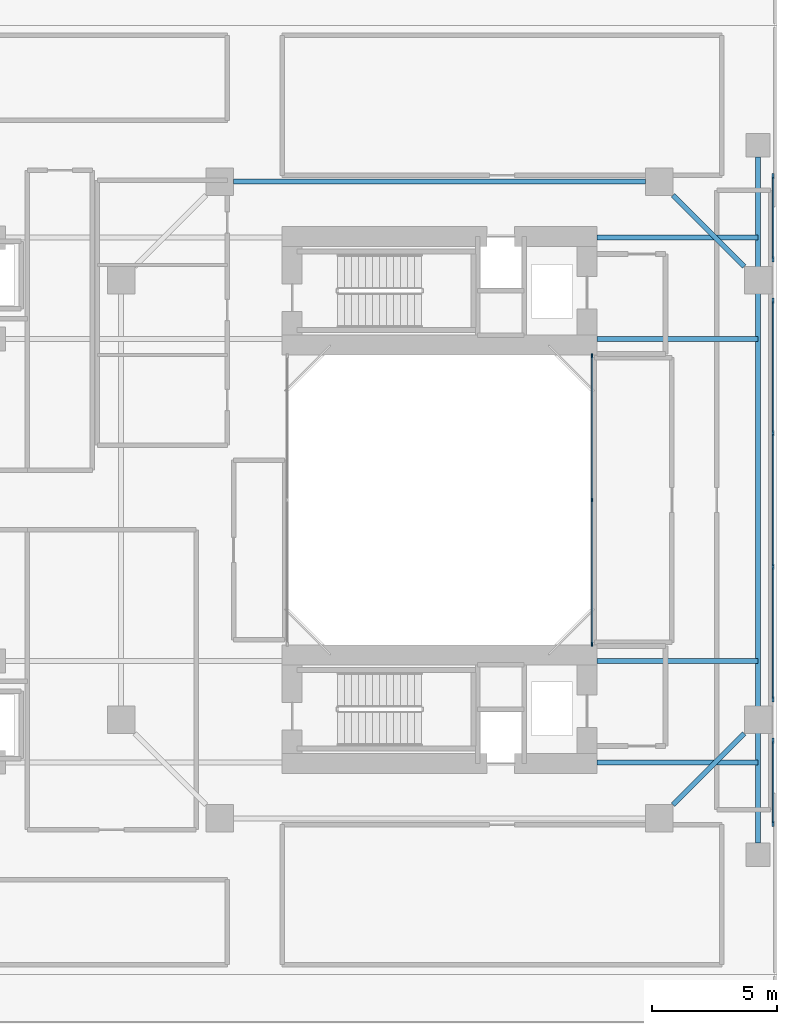
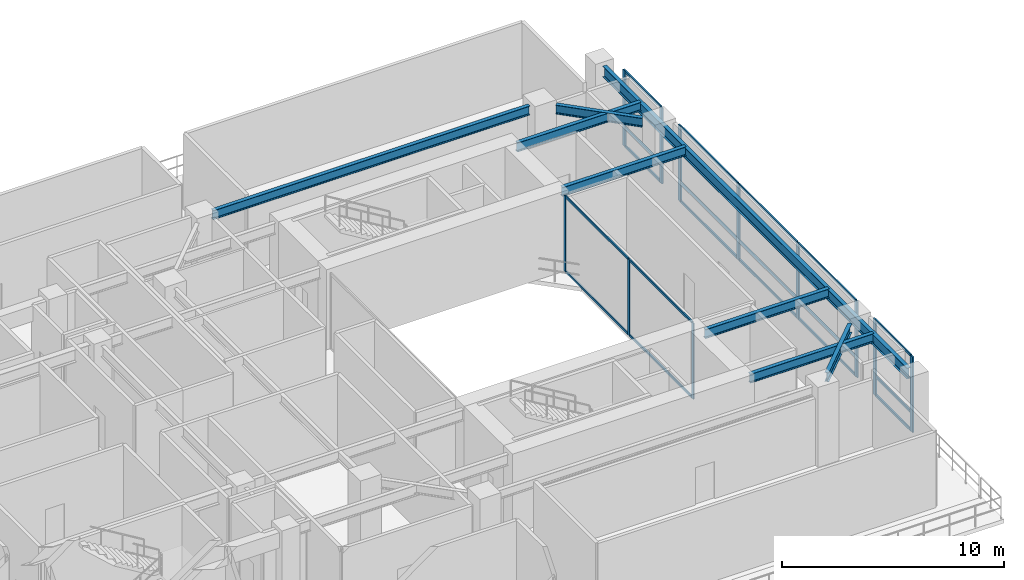
# One storey, part 8 of 19: 30 members, 8 beams, 4 elements without a shape of their own.
"""IFC4 building model written with IfcOpenShell, lengths in metres."""

from ifc_helpers import new_model, si_unit, direction, frame, origin, origin_2d, place, context, subcontext, project, spatial, rectangle, i_section, extrude, source, transform, mapped, material, layer, layer_set, material_profile, profile_set, type_object, element, aggregate, save


model = new_model("IFC4")

# Units and contexts
model_context = context("Model", 3, precision=1e-05, world=origin(), true_north=direction((0.0, 1.0)))
body_context = subcontext(model_context, "Body", "Model", "MODEL_VIEW")
ifc_project = project(units=[si_unit("LENGTHUNIT", "METRE"), si_unit("AREAUNIT", "SQUARE_METRE"), si_unit("VOLUMEUNIT", "CUBIC_METRE"), si_unit("PLANEANGLEUNIT", "RADIAN"), si_unit("MASSUNIT", "GRAM", prefix="KILO"), si_unit("THERMODYNAMICTEMPERATUREUNIT", "KELVIN"), si_unit("POWERUNIT", "WATT")], contexts=[model_context])

# Site, building, storey
site_placement = place(None, origin())
site = spatial("IfcSite", under=ifc_project, at=site_placement, CompositionType="ELEMENT")
building_placement = place(site_placement, origin())
building = spatial("IfcBuilding", under=site, at=building_placement, Name="Qiaomeng Ring Towers", CompositionType="ELEMENT")
storey_placement = place(building_placement, frame((0.0, 0.0, 9.39990234375)))
storey = spatial("IfcBuildingStorey", under=building, at=storey_placement, Name="L02", CompositionType="ELEMENT", Elevation=9.39990234375)

# Beams
ifc_material_1 = material(Name="Steel Q355B", Category="steel")
ifc_material_profile_1 = material_profile(ifc_material_1, i_section(OverallWidth=0.199951171875, OverallDepth=0.60009765625, WebThickness=0.010986328125, FlangeThickness=0.01708984375, FilletRadius=0.02197265625, at=origin_2d()), Name="HN 600x200x11x17")
ifc_profile_set_1 = profile_set([ifc_material_profile_1], Name="Steel Q355B")
beam_type_1 = type_object("IfcBeamType", Name="STR-BM-HN600", PredefinedType="BEAM", material=ifc_profile_set_1)
shared_shape_1 = source(origin(), body_context, "Body", "SweptSolid", [
    extrude(i_section(OverallWidth=0.199951171875, OverallDepth=0.60009765625, WebThickness=0.010986328125, FlangeThickness=0.01708984375, FilletRadius=0.02197265625, at=origin_2d()), origin(), (0.0, 0.0, 1.0), 27.4521484375),
])
beam_1_placement = place(storey_placement, frame((73.25, 9.27392578125, 3.880126953125), z_axis=(0.0, 1.0, 0.0), x_axis=(-1.0, 0.0, 0.0)))
element("IfcBeam", 1, at=beam_1_placement, inside=storey, type_object=beam_type_1, Name="L02 beam STR-SP-L02-EL", PredefinedType="BEAM", context=body_context, shape_type="MappedRepresentation", body=[
    mapped(shared_shape_1, transform((0.0, 0.0, 0.0), x_axis=(1.0, 0.0, 0.0), y_axis=(0.0, 1.0, 0.0), z_axis=(0.0, 0.0, 1.0), scale=1.0)),
])
ifc_material_profile_2 = material_profile(ifc_material_1, i_section(OverallWidth=0.199951171875, OverallDepth=0.5, WebThickness=0.010009765625, FlangeThickness=0.01611328125, FilletRadius=0.02001953125, at=origin_2d()), Name="HN 500x200x10x16")
ifc_profile_set_2 = profile_set([ifc_material_profile_2], Name="Steel Q355B")
beam_type_2 = type_object("IfcBeamType", Name="STR-BM-HN500", PredefinedType="BEAM", material=ifc_profile_set_2)
shared_shape_2 = source(origin(), body_context, "Body", "SweptSolid", [
    extrude(i_section(OverallWidth=0.199951171875, OverallDepth=0.5, WebThickness=0.010009765625, FlangeThickness=0.01611328125, FilletRadius=0.02001953125, at=origin_2d()), origin(), (0.0, 0.0, 1.0), 4.032470703125),
])
for number, where, z_axis, x_axis, name in (
    (2, (69.849365234375, 10.79931640625, 3.93017578125), (0.707106781187, 0.707106781187, 0.0), (-0.707106781187, 0.707106781187, 0.0), "L02 beam STR-SP-L02-T2-2"),
    (3, (72.70068359375, 32.349365234375, 3.93017578125), (-0.707106781187, 0.707106781187, 0.0), (-0.707106781187, -0.707106781187, 0.0), "L02 beam STR-SP-L02-T2-4"),
):
    element("IfcBeam", number, at=place(storey_placement, frame(where, z_axis=z_axis, x_axis=x_axis)), inside=storey, type_object=beam_type_2, Name=name, PredefinedType="BEAM", context=body_context, shape_type="MappedRepresentation", body=[
        mapped(shared_shape_2, transform((0.0, 0.0, 0.0), x_axis=(1.0, 0.0, 0.0), y_axis=(0.0, 1.0, 0.0), z_axis=(0.0, 0.0, 1.0), scale=1.0)),
    ])
shared_shape_3 = source(origin(), body_context, "Body", "SweptSolid", [
    extrude(i_section(OverallWidth=0.199951171875, OverallDepth=0.5, WebThickness=0.010009765625, FlangeThickness=0.01611328125, FilletRadius=0.02001953125, at=origin_2d()), origin(), (0.0, 0.0, 1.0), 16.501953125),
])
beam_2_placement = place(storey_placement, frame((68.7509765625, 35.75, 3.93017578125), z_axis=(-1.0, 0.0, 0.0), x_axis=(0.0, -1.0, 0.0)))
element("IfcBeam", 4, at=beam_2_placement, inside=storey, type_object=beam_type_2, Name="L02 beam STR-SP-L02-T2-5", PredefinedType="BEAM", context=body_context, shape_type="MappedRepresentation", body=[
    mapped(shared_shape_3, transform((0.0, 0.0, 0.0), x_axis=(1.0, 0.0, 0.0), y_axis=(0.0, 1.0, 0.0), z_axis=(0.0, 0.0, 1.0), scale=1.0)),
])
shared_shape_4 = source(origin(), body_context, "Body", "SweptSolid", [
    extrude(i_section(OverallWidth=0.199951171875, OverallDepth=0.5, WebThickness=0.010009765625, FlangeThickness=0.01611328125, FilletRadius=0.02001953125, at=origin_2d()), origin(), (0.0, 0.0, 1.0), 6.449951171875),
])
for number, where, z_axis, x_axis, name in (
    (5, (66.800048828125, 12.5, 3.93017578125), (1.0, 0.0, 0.0), (0.0, 1.0, 0.0), "L02 beam STR-BM-L02-E-0"),
    (6, (66.800048828125, 16.550048828125, 3.93017578125), (1.0, 0.0, 0.0), (0.0, 1.0, 0.0), "L02 beam STR-BM-L02-E-1"),
    (7, (66.800048828125, 29.449951171875, 3.93017578125), (1.0, 0.0, 0.0), (0.0, 1.0, 0.0), "L02 beam STR-BM-L02-E-2"),
    (8, (66.800048828125, 33.5, 3.93017578125), (1.0, 0.0, 0.0), (0.0, 1.0, 0.0), "L02 beam STR-BM-L02-E-3"),
):
    element("IfcBeam", number, at=place(storey_placement, frame(where, z_axis=z_axis, x_axis=x_axis)), inside=storey, type_object=beam_type_2, Name=name, PredefinedType="BEAM", context=body_context, shape_type="MappedRepresentation", body=[
        mapped(shared_shape_4, transform((0.0, 0.0, 0.0), x_axis=(1.0, 0.0, 0.0), y_axis=(0.0, 1.0, 0.0), z_axis=(0.0, 0.0, 1.0), scale=1.0)),
    ])

# Curtain wall, members
ifc_material_2 = material(Name="Fluorocarbon dark-grey aluminium", Category="aluminium")
ifc_layer_1 = layer(ifc_material_2, 0.179931640625, Name="Fluorocarbon dark-grey aluminium")
ifc_layer_set_1 = layer_set([ifc_layer_1], Name="Fluorocarbon dark-grey aluminium")
curtain_wall_type_1 = type_object("IfcCurtainWallType", Name="ARC-CW-1", PredefinedType="NOTDEFINED", material=ifc_layer_set_1)
curtain_wall_1_placement = place(storey_placement, origin())
curtain_wall_1 = element("IfcCurtainWall", 9, at=curtain_wall_1_placement, inside=storey, type_object=curtain_wall_type_1, Name="L02 Curtain Wall CW1", PredefinedType="NOTDEFINED")
ifc_material_profile_3 = material_profile(ifc_material_2, rectangle(XDim=0.070068359375, YDim=0.139892578125, at=origin_2d()), Name="ALU TRAN 70x140")
ifc_profile_set_3 = profile_set([ifc_material_profile_3], Name="Fluorocarbon dark-grey aluminium")
member_type_1 = type_object("IfcMemberType", Name="ARC-CWT-140", PredefinedType="USERDEFINED", material=ifc_profile_set_3)
shared_shape_5 = source(origin(), body_context, "Body", "SweptSolid", [
    extrude(rectangle(XDim=0.070068359375, YDim=0.139892578125, at=origin_2d()), origin(), (0.0, 0.0, 1.0), 5.219970703125),
])
member_1_placement = place(storey_placement, frame((73.85009765625, 15.070068359375, 0.03515625), z_axis=(0.0, 1.0, 0.0), x_axis=(-1.0, 0.0, 0.0)))
member_1 = element("IfcMember", 10, at=member_1_placement, type_object=member_type_1, Name="CW1 transom 1.1", ObjectType="TRANSOM", PredefinedType="USERDEFINED", context=body_context, shape_type="MappedRepresentation", body=[
    mapped(shared_shape_5, transform((0.0, 0.0, 0.0), x_axis=(1.0, 0.0, 0.0), y_axis=(0.0, 1.0, 0.0), z_axis=(0.0, 0.0, 1.0), scale=1.0)),
])
member_2_placement = place(storey_placement, frame((73.85009765625, 15.070068359375, 1.050048828125), z_axis=(0.0, 1.0, 0.0), x_axis=(-1.0, 0.0, 0.0)))
member_2 = element("IfcMember", 11, at=member_2_placement, type_object=member_type_1, Name="CW1 transom 1.2", ObjectType="TRANSOM", PredefinedType="USERDEFINED", context=body_context, shape_type="MappedRepresentation", body=[
    mapped(shared_shape_5, transform((0.0, 0.0, 0.0), x_axis=(1.0, 0.0, 0.0), y_axis=(0.0, 1.0, 0.0), z_axis=(0.0, 0.0, 1.0), scale=1.0)),
])
member_3_placement = place(storey_placement, frame((73.85009765625, 15.070068359375, 4.14501953125), z_axis=(0.0, 1.0, 0.0), x_axis=(-1.0, 0.0, 0.0)))
member_3 = element("IfcMember", 12, at=member_3_placement, type_object=member_type_1, Name="CW1 transom 1.3", ObjectType="TRANSOM", PredefinedType="USERDEFINED", context=body_context, shape_type="MappedRepresentation", body=[
    mapped(shared_shape_5, transform((0.0, 0.0, 0.0), x_axis=(1.0, 0.0, 0.0), y_axis=(0.0, 1.0, 0.0), z_axis=(0.0, 0.0, 1.0), scale=1.0)),
])
member_4_placement = place(storey_placement, frame((73.85009765625, 25.7099609375, 0.03515625), z_axis=(0.0, 1.0, 0.0), x_axis=(-1.0, 0.0, 0.0)))
member_4 = element("IfcMember", 13, at=member_4_placement, type_object=member_type_1, Name="CW1 transom 3.1", ObjectType="TRANSOM", PredefinedType="USERDEFINED", context=body_context, shape_type="MappedRepresentation", body=[
    mapped(shared_shape_5, transform((0.0, 0.0, 0.0), x_axis=(1.0, 0.0, 0.0), y_axis=(0.0, 1.0, 0.0), z_axis=(0.0, 0.0, 1.0), scale=1.0)),
])
member_5_placement = place(storey_placement, frame((73.85009765625, 25.7099609375, 1.050048828125), z_axis=(0.0, 1.0, 0.0), x_axis=(-1.0, 0.0, 0.0)))
member_5 = element("IfcMember", 14, at=member_5_placement, type_object=member_type_1, Name="CW1 transom 3.2", ObjectType="TRANSOM", PredefinedType="USERDEFINED", context=body_context, shape_type="MappedRepresentation", body=[
    mapped(shared_shape_5, transform((0.0, 0.0, 0.0), x_axis=(1.0, 0.0, 0.0), y_axis=(0.0, 1.0, 0.0), z_axis=(0.0, 0.0, 1.0), scale=1.0)),
])
member_6_placement = place(storey_placement, frame((73.85009765625, 25.7099609375, 4.14501953125), z_axis=(0.0, 1.0, 0.0), x_axis=(-1.0, 0.0, 0.0)))
member_6 = element("IfcMember", 15, at=member_6_placement, type_object=member_type_1, Name="CW1 transom 3.3", ObjectType="TRANSOM", PredefinedType="USERDEFINED", context=body_context, shape_type="MappedRepresentation", body=[
    mapped(shared_shape_5, transform((0.0, 0.0, 0.0), x_axis=(1.0, 0.0, 0.0), y_axis=(0.0, 1.0, 0.0), z_axis=(0.0, 0.0, 1.0), scale=1.0)),
])
shared_shape_6 = source(origin(), body_context, "Body", "SweptSolid", [
    extrude(rectangle(XDim=0.070068359375, YDim=0.139892578125, at=origin_2d()), origin(), (0.0, 0.0, 1.0), 5.259765625),
])
member_7_placement = place(storey_placement, frame((73.85009765625, 20.3701171875, 0.03515625), z_axis=(0.0, 1.0, 0.0), x_axis=(-1.0, 0.0, 0.0)))
member_7 = element("IfcMember", 16, at=member_7_placement, type_object=member_type_1, Name="CW1 transom 2.1", ObjectType="TRANSOM", PredefinedType="USERDEFINED", context=body_context, shape_type="MappedRepresentation", body=[
    mapped(shared_shape_6, transform((0.0, 0.0, 0.0), x_axis=(1.0, 0.0, 0.0), y_axis=(0.0, 1.0, 0.0), z_axis=(0.0, 0.0, 1.0), scale=1.0)),
])
member_8_placement = place(storey_placement, frame((73.85009765625, 20.3701171875, 1.050048828125), z_axis=(0.0, 1.0, 0.0), x_axis=(-1.0, 0.0, 0.0)))
member_8 = element("IfcMember", 17, at=member_8_placement, type_object=member_type_1, Name="CW1 transom 2.2", ObjectType="TRANSOM", PredefinedType="USERDEFINED", context=body_context, shape_type="MappedRepresentation", body=[
    mapped(shared_shape_6, transform((0.0, 0.0, 0.0), x_axis=(1.0, 0.0, 0.0), y_axis=(0.0, 1.0, 0.0), z_axis=(0.0, 0.0, 1.0), scale=1.0)),
])
member_9_placement = place(storey_placement, frame((73.85009765625, 20.3701171875, 4.14501953125), z_axis=(0.0, 1.0, 0.0), x_axis=(-1.0, 0.0, 0.0)))
member_9 = element("IfcMember", 18, at=member_9_placement, type_object=member_type_1, Name="CW1 transom 2.3", ObjectType="TRANSOM", PredefinedType="USERDEFINED", context=body_context, shape_type="MappedRepresentation", body=[
    mapped(shared_shape_6, transform((0.0, 0.0, 0.0), x_axis=(1.0, 0.0, 0.0), y_axis=(0.0, 1.0, 0.0), z_axis=(0.0, 0.0, 1.0), scale=1.0)),
])

curtain_wall_2_placement = place(storey_placement, origin())
curtain_wall_2 = element("IfcCurtainWall", 19, at=curtain_wall_2_placement, inside=storey, type_object=curtain_wall_type_1, Name="L02 Curtain Wall CW1", PredefinedType="NOTDEFINED")
shared_shape_7 = source(origin(), body_context, "Body", "SweptSolid", [
    extrude(rectangle(XDim=0.070068359375, YDim=0.139892578125, at=origin_2d()), origin(), (0.0, 0.0, 1.0), 3.25),
])
member_10_placement = place(storey_placement, frame((73.85009765625, 10.080078125, 0.03515625), z_axis=(0.0, 1.0, 0.0), x_axis=(-1.0, 0.0, 0.0)))
member_10 = element("IfcMember", 20, at=member_10_placement, type_object=member_type_1, Name="CW1 transom 1.1", ObjectType="TRANSOM", PredefinedType="USERDEFINED", context=body_context, shape_type="MappedRepresentation", body=[
    mapped(shared_shape_7, transform((0.0, 0.0, 0.0), x_axis=(1.0, 0.0, 0.0), y_axis=(0.0, 1.0, 0.0), z_axis=(0.0, 0.0, 1.0), scale=1.0)),
])
member_11_placement = place(storey_placement, frame((73.85009765625, 10.080078125, 1.050048828125), z_axis=(0.0, 1.0, 0.0), x_axis=(-1.0, 0.0, 0.0)))
member_11 = element("IfcMember", 21, at=member_11_placement, type_object=member_type_1, Name="CW1 transom 1.2", ObjectType="TRANSOM", PredefinedType="USERDEFINED", context=body_context, shape_type="MappedRepresentation", body=[
    mapped(shared_shape_7, transform((0.0, 0.0, 0.0), x_axis=(1.0, 0.0, 0.0), y_axis=(0.0, 1.0, 0.0), z_axis=(0.0, 0.0, 1.0), scale=1.0)),
])
member_12_placement = place(storey_placement, frame((73.85009765625, 10.080078125, 4.14501953125), z_axis=(0.0, 1.0, 0.0), x_axis=(-1.0, 0.0, 0.0)))
member_12 = element("IfcMember", 22, at=member_12_placement, type_object=member_type_1, Name="CW1 transom 1.3", ObjectType="TRANSOM", PredefinedType="USERDEFINED", context=body_context, shape_type="MappedRepresentation", body=[
    mapped(shared_shape_7, transform((0.0, 0.0, 0.0), x_axis=(1.0, 0.0, 0.0), y_axis=(0.0, 1.0, 0.0), z_axis=(0.0, 0.0, 1.0), scale=1.0)),
])

curtain_wall_3_placement = place(storey_placement, origin())
curtain_wall_3 = element("IfcCurtainWall", 23, at=curtain_wall_3_placement, inside=storey, type_object=curtain_wall_type_1, Name="L02 Curtain Wall CW1", PredefinedType="NOTDEFINED")
member_13_placement = place(storey_placement, frame((73.85009765625, 32.669921875, 0.03515625), z_axis=(0.0, 1.0, 0.0), x_axis=(-1.0, 0.0, 0.0)))
member_13 = element("IfcMember", 24, at=member_13_placement, type_object=member_type_1, Name="CW1 transom 1.1", ObjectType="TRANSOM", PredefinedType="USERDEFINED", context=body_context, shape_type="MappedRepresentation", body=[
    mapped(shared_shape_7, transform((0.0, 0.0, 0.0), x_axis=(1.0, 0.0, 0.0), y_axis=(0.0, 1.0, 0.0), z_axis=(0.0, 0.0, 1.0), scale=1.0)),
])
member_14_placement = place(storey_placement, frame((73.85009765625, 32.669921875, 1.050048828125), z_axis=(0.0, 1.0, 0.0), x_axis=(-1.0, 0.0, 0.0)))
member_14 = element("IfcMember", 25, at=member_14_placement, type_object=member_type_1, Name="CW1 transom 1.2", ObjectType="TRANSOM", PredefinedType="USERDEFINED", context=body_context, shape_type="MappedRepresentation", body=[
    mapped(shared_shape_7, transform((0.0, 0.0, 0.0), x_axis=(1.0, 0.0, 0.0), y_axis=(0.0, 1.0, 0.0), z_axis=(0.0, 0.0, 1.0), scale=1.0)),
])
member_15_placement = place(storey_placement, frame((73.85009765625, 32.669921875, 4.14501953125), z_axis=(0.0, 1.0, 0.0), x_axis=(-1.0, 0.0, 0.0)))
member_15 = element("IfcMember", 26, at=member_15_placement, type_object=member_type_1, Name="CW1 transom 1.3", ObjectType="TRANSOM", PredefinedType="USERDEFINED", context=body_context, shape_type="MappedRepresentation", body=[
    mapped(shared_shape_7, transform((0.0, 0.0, 0.0), x_axis=(1.0, 0.0, 0.0), y_axis=(0.0, 1.0, 0.0), z_axis=(0.0, 0.0, 1.0), scale=1.0)),
])

ifc_layer_2 = layer(ifc_material_2, 0.139892578125, Name="Fluorocarbon dark-grey aluminium")
ifc_layer_set_2 = layer_set([ifc_layer_2], Name="Fluorocarbon dark-grey aluminium")
curtain_wall_type_2 = type_object("IfcCurtainWallType", Name="ARC-CW-4", PredefinedType="NOTDEFINED", material=ifc_layer_set_2)
curtain_wall_4_placement = place(storey_placement, origin())
curtain_wall_4 = element("IfcCurtainWall", 27, at=curtain_wall_4_placement, inside=storey, type_object=curtain_wall_type_2, Name="L02 Curtain Wall CW4", PredefinedType="NOTDEFINED")
ifc_material_profile_4 = material_profile(ifc_material_2, rectangle(XDim=0.06494140625, YDim=0.1298828125, at=origin_2d()), Name="ALU TRAN 65x130")
ifc_profile_set_4 = profile_set([ifc_material_profile_4], Name="Fluorocarbon dark-grey aluminium")
member_type_2 = type_object("IfcMemberType", Name="ARC-CWT-120", PredefinedType="USERDEFINED", material=ifc_profile_set_4)
shared_shape_8 = source(origin(), body_context, "Body", "SweptSolid", [
    extrude(rectangle(XDim=0.06494140625, YDim=0.1298828125, at=origin_2d()), origin(), (0.0, 0.0, 1.0), 5.70263671875),
])
member_16_placement = place(storey_placement, frame((66.60009765625, 17.264892578125, 0.03271484375), z_axis=(0.0, 1.0, 0.0), x_axis=(-1.0, 0.0, 0.0)))
member_16 = element("IfcMember", 28, at=member_16_placement, type_object=member_type_2, Name="CW4 transom 1.1", ObjectType="TRANSOM", PredefinedType="USERDEFINED", context=body_context, shape_type="MappedRepresentation", body=[
    mapped(shared_shape_8, transform((0.0, 0.0, 0.0), x_axis=(1.0, 0.0, 0.0), y_axis=(0.0, 1.0, 0.0), z_axis=(0.0, 0.0, 1.0), scale=1.0)),
])
member_17_placement = place(storey_placement, frame((66.60009765625, 17.264892578125, 4.147705078125), z_axis=(0.0, 1.0, 0.0), x_axis=(-1.0, 0.0, 0.0)))
member_17 = element("IfcMember", 29, at=member_17_placement, type_object=member_type_2, Name="CW4 transom 1.2", ObjectType="TRANSOM", PredefinedType="USERDEFINED", context=body_context, shape_type="MappedRepresentation", body=[
    mapped(shared_shape_8, transform((0.0, 0.0, 0.0), x_axis=(1.0, 0.0, 0.0), y_axis=(0.0, 1.0, 0.0), z_axis=(0.0, 0.0, 1.0), scale=1.0)),
])
member_18_placement = place(storey_placement, frame((66.60009765625, 23.032470703125, 0.03271484375), z_axis=(0.0, 1.0, 0.0), x_axis=(-1.0, 0.0, 0.0)))
member_18 = element("IfcMember", 30, at=member_18_placement, type_object=member_type_2, Name="CW4 transom 2.1", ObjectType="TRANSOM", PredefinedType="USERDEFINED", context=body_context, shape_type="MappedRepresentation", body=[
    mapped(shared_shape_8, transform((0.0, 0.0, 0.0), x_axis=(1.0, 0.0, 0.0), y_axis=(0.0, 1.0, 0.0), z_axis=(0.0, 0.0, 1.0), scale=1.0)),
])
member_19_placement = place(storey_placement, frame((66.60009765625, 23.032470703125, 4.147705078125), z_axis=(0.0, 1.0, 0.0), x_axis=(-1.0, 0.0, 0.0)))
member_19 = element("IfcMember", 31, at=member_19_placement, type_object=member_type_2, Name="CW4 transom 2.2", ObjectType="TRANSOM", PredefinedType="USERDEFINED", context=body_context, shape_type="MappedRepresentation", body=[
    mapped(shared_shape_8, transform((0.0, 0.0, 0.0), x_axis=(1.0, 0.0, 0.0), y_axis=(0.0, 1.0, 0.0), z_axis=(0.0, 0.0, 1.0), scale=1.0)),
])

# Member
ifc_material_profile_5 = material_profile(ifc_material_2, rectangle(XDim=0.080078125, YDim=0.219970703125, at=origin_2d()), Name="ALU MULL 80x220")
ifc_profile_set_5 = profile_set([ifc_material_profile_5], Name="Fluorocarbon dark-grey aluminium")
member_type_3 = type_object("IfcMemberType", Name="ARC-CWM-180", PredefinedType="MULLION", material=ifc_profile_set_5)
shared_shape_9 = source(origin(), body_context, "Body", "SweptSolid", [
    extrude(rectangle(XDim=0.080078125, YDim=0.219970703125, at=origin_2d()), origin(), (0.0, 0.0, 1.0), 4.18017578125),
])
member_20_placement = place(storey_placement, frame((73.85009765625, 10.0400390625, 0.0), z_axis=(0.0, 0.0, 1.0), x_axis=(-1.0, 0.0, 0.0)))
member_20 = element("IfcMember", 32, at=member_20_placement, type_object=member_type_3, Name="CW1 mullion 1", PredefinedType="MULLION", context=body_context, shape_type="MappedRepresentation", body=[
    mapped(shared_shape_9, transform((0.0, 0.0, 0.0), x_axis=(1.0, 0.0, 0.0), y_axis=(0.0, 1.0, 0.0), z_axis=(0.0, 0.0, 1.0), scale=1.0)),
])

member_21_placement = place(storey_placement, frame((73.85009765625, 13.3701171875, 0.0), z_axis=(0.0, 0.0, 1.0), x_axis=(-1.0, 0.0, 0.0)))
member_21 = element("IfcMember", 33, at=member_21_placement, type_object=member_type_3, Name="CW1 mullion 2", PredefinedType="MULLION", context=body_context, shape_type="MappedRepresentation", body=[
    mapped(shared_shape_9, transform((0.0, 0.0, 0.0), x_axis=(1.0, 0.0, 0.0), y_axis=(0.0, 1.0, 0.0), z_axis=(0.0, 0.0, 1.0), scale=1.0)),
])

aggregate(curtain_wall_2, [member_20, member_21, member_10, member_11, member_12])

member_22_placement = place(storey_placement, frame((73.85009765625, 15.030029296875, 0.0), z_axis=(0.0, 0.0, 1.0), x_axis=(-1.0, 0.0, 0.0)))
member_22 = element("IfcMember", 34, at=member_22_placement, type_object=member_type_3, Name="CW1 mullion 1", PredefinedType="MULLION", context=body_context, shape_type="MappedRepresentation", body=[
    mapped(shared_shape_9, transform((0.0, 0.0, 0.0), x_axis=(1.0, 0.0, 0.0), y_axis=(0.0, 1.0, 0.0), z_axis=(0.0, 0.0, 1.0), scale=1.0)),
])

member_23_placement = place(storey_placement, frame((73.85009765625, 20.330078125, 0.0), z_axis=(0.0, 0.0, 1.0), x_axis=(-1.0, 0.0, 0.0)))
member_23 = element("IfcMember", 35, at=member_23_placement, type_object=member_type_3, Name="CW1 mullion 2", PredefinedType="MULLION", context=body_context, shape_type="MappedRepresentation", body=[
    mapped(shared_shape_9, transform((0.0, 0.0, 0.0), x_axis=(1.0, 0.0, 0.0), y_axis=(0.0, 1.0, 0.0), z_axis=(0.0, 0.0, 1.0), scale=1.0)),
])

member_24_placement = place(storey_placement, frame((73.85009765625, 25.669921875, 0.0), z_axis=(0.0, 0.0, 1.0), x_axis=(-1.0, 0.0, 0.0)))
member_24 = element("IfcMember", 36, at=member_24_placement, type_object=member_type_3, Name="CW1 mullion 3", PredefinedType="MULLION", context=body_context, shape_type="MappedRepresentation", body=[
    mapped(shared_shape_9, transform((0.0, 0.0, 0.0), x_axis=(1.0, 0.0, 0.0), y_axis=(0.0, 1.0, 0.0), z_axis=(0.0, 0.0, 1.0), scale=1.0)),
])

member_25_placement = place(storey_placement, frame((73.85009765625, 30.969970703125, 0.0), z_axis=(0.0, 0.0, 1.0), x_axis=(-1.0, 0.0, 0.0)))
member_25 = element("IfcMember", 37, at=member_25_placement, type_object=member_type_3, Name="CW1 mullion 4", PredefinedType="MULLION", context=body_context, shape_type="MappedRepresentation", body=[
    mapped(shared_shape_9, transform((0.0, 0.0, 0.0), x_axis=(1.0, 0.0, 0.0), y_axis=(0.0, 1.0, 0.0), z_axis=(0.0, 0.0, 1.0), scale=1.0)),
])

aggregate(curtain_wall_1, [member_22, member_23, member_24, member_25, member_1, member_2, member_3, member_7, member_8, member_9, member_4, member_5, member_6])

member_26_placement = place(storey_placement, frame((73.85009765625, 32.6298828125, 0.0), z_axis=(0.0, 0.0, 1.0), x_axis=(-1.0, 0.0, 0.0)))
member_26 = element("IfcMember", 38, at=member_26_placement, type_object=member_type_3, Name="CW1 mullion 1", PredefinedType="MULLION", context=body_context, shape_type="MappedRepresentation", body=[
    mapped(shared_shape_9, transform((0.0, 0.0, 0.0), x_axis=(1.0, 0.0, 0.0), y_axis=(0.0, 1.0, 0.0), z_axis=(0.0, 0.0, 1.0), scale=1.0)),
])

member_27_placement = place(storey_placement, frame((73.85009765625, 35.9599609375, 0.0), z_axis=(0.0, 0.0, 1.0), x_axis=(-1.0, 0.0, 0.0)))
member_27 = element("IfcMember", 39, at=member_27_placement, type_object=member_type_3, Name="CW1 mullion 2", PredefinedType="MULLION", context=body_context, shape_type="MappedRepresentation", body=[
    mapped(shared_shape_9, transform((0.0, 0.0, 0.0), x_axis=(1.0, 0.0, 0.0), y_axis=(0.0, 1.0, 0.0), z_axis=(0.0, 0.0, 1.0), scale=1.0)),
])

aggregate(curtain_wall_3, [member_26, member_27, member_13, member_14, member_15])

ifc_material_profile_6 = material_profile(ifc_material_2, rectangle(XDim=0.06494140625, YDim=0.159912109375, at=origin_2d()), Name="ALU MULL 65x160")
ifc_profile_set_6 = profile_set([ifc_material_profile_6], Name="Fluorocarbon dark-grey aluminium")
member_type_4 = type_object("IfcMemberType", Name="ARC-CWM-140", PredefinedType="MULLION", material=ifc_profile_set_6)
shared_shape_10 = source(origin(), body_context, "Body", "SweptSolid", [
    extrude(rectangle(XDim=0.06494140625, YDim=0.159912109375, at=origin_2d()), origin(), (0.0, 0.0, 1.0), 4.18017578125),
])
member_28_placement = place(storey_placement, frame((66.60009765625, 17.232421875, 0.0), z_axis=(0.0, 0.0, 1.0), x_axis=(-1.0, 0.0, 0.0)))
member_28 = element("IfcMember", 40, at=member_28_placement, type_object=member_type_4, Name="CW4 mullion 1", PredefinedType="MULLION", context=body_context, shape_type="MappedRepresentation", body=[
    mapped(shared_shape_10, transform((0.0, 0.0, 0.0), x_axis=(1.0, 0.0, 0.0), y_axis=(0.0, 1.0, 0.0), z_axis=(0.0, 0.0, 1.0), scale=1.0)),
])

member_29_placement = place(storey_placement, frame((66.60009765625, 23.0, 0.0), z_axis=(0.0, 0.0, 1.0), x_axis=(-1.0, 0.0, 0.0)))
member_29 = element("IfcMember", 41, at=member_29_placement, type_object=member_type_4, Name="CW4 mullion 2", PredefinedType="MULLION", context=body_context, shape_type="MappedRepresentation", body=[
    mapped(shared_shape_10, transform((0.0, 0.0, 0.0), x_axis=(1.0, 0.0, 0.0), y_axis=(0.0, 1.0, 0.0), z_axis=(0.0, 0.0, 1.0), scale=1.0)),
])

member_30_placement = place(storey_placement, frame((66.60009765625, 28.767578125, 0.0), z_axis=(0.0, 0.0, 1.0), x_axis=(-1.0, 0.0, 0.0)))
member_30 = element("IfcMember", 42, at=member_30_placement, type_object=member_type_4, Name="CW4 mullion 3", PredefinedType="MULLION", context=body_context, shape_type="MappedRepresentation", body=[
    mapped(shared_shape_10, transform((0.0, 0.0, 0.0), x_axis=(1.0, 0.0, 0.0), y_axis=(0.0, 1.0, 0.0), z_axis=(0.0, 0.0, 1.0), scale=1.0)),
])

aggregate(curtain_wall_4, [member_28, member_29, member_30, member_16, member_17, member_18, member_19])

save(model, "model.ifc")
